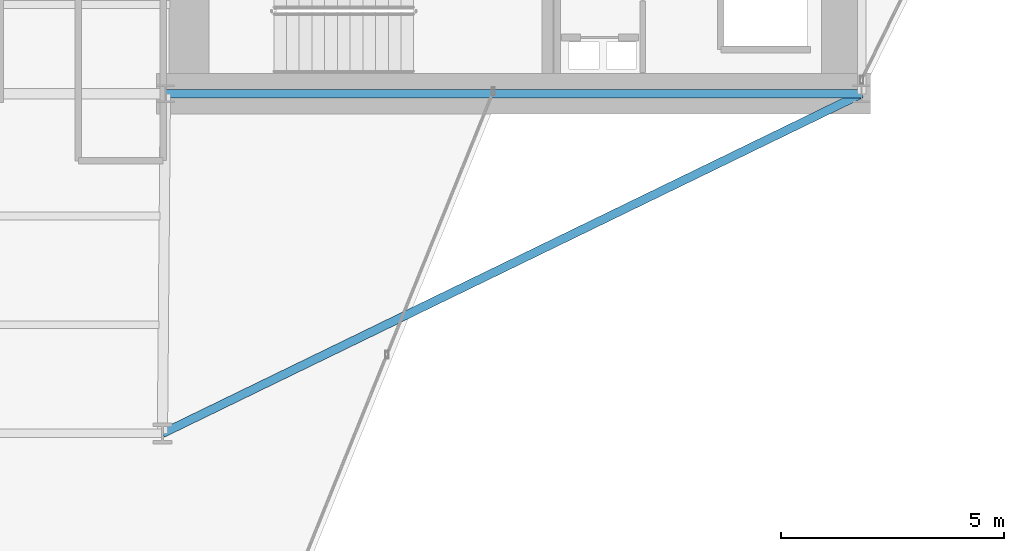
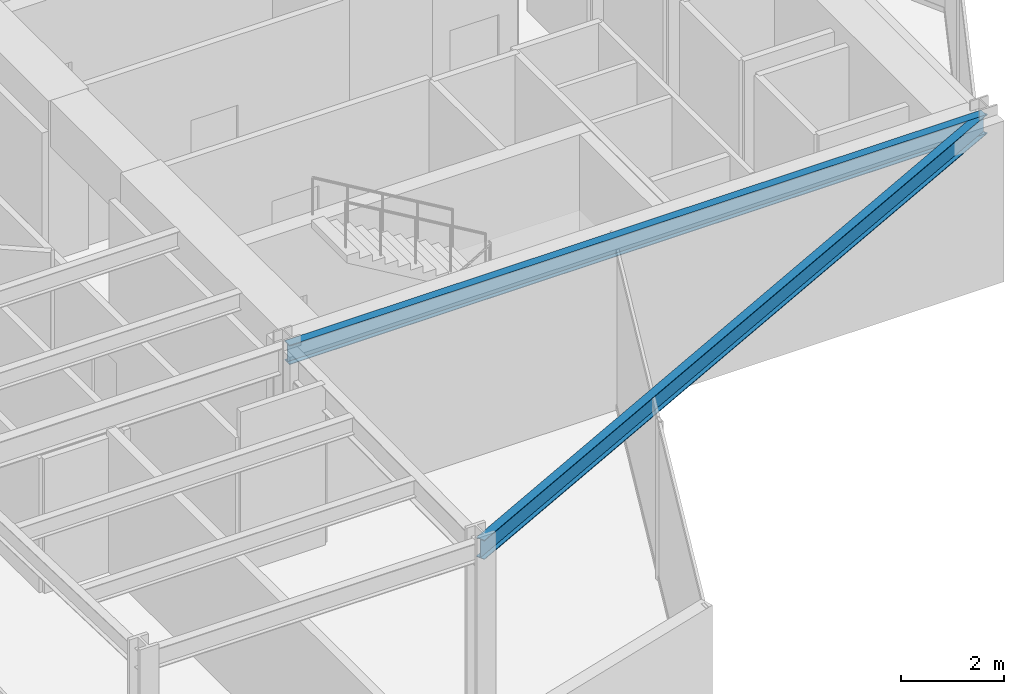
# One storey, part 15 of 30: 2 beams.
"""IFC4 building model written with IfcOpenShell, lengths in metres."""

import ifcopenshell
import ifcopenshell.guid

model = None  # the IFC model being written
_history = None  # IfcOwnerHistory: only IFC2X3 demands one
_inside = {}  # id of a spatial element -> (the spatial element, [elements in it])
_under = {}  # id of a project, library or spatial element -> (it, [spatial elements below it])
_declared = {}  # id of a project -> (the project, [libraries it declares])
_typed = {}  # id of a type object -> (the type object, [elements of that type])
_made_of = {}  # id of a material, layer set ... -> (it, [elements and type objects made of it])


def new_model(schema):
    """Start an empty IFC model of exactly this schema.

    Asked for "IFC4X3", IfcOpenShell would pick the latest addendum, in which some entities
    have other attributes; the version numbers below select the first issue.
    IFC2X3 requires an IfcOwnerHistory on every rooted entity: one is made here for all.
    """
    global model, _history
    if schema == "IFC4X3":
        model = ifcopenshell.file(schema_version=(4, 3, 0, 0))
    else:
        model = ifcopenshell.file(schema=schema)
    _inside.clear()
    _under.clear()
    _declared.clear()
    _typed.clear()
    _made_of.clear()
    _history = None
    if model.schema == "IFC2X3":
        org = make("IfcOrganization", Name="unknown")
        user = make(
            "IfcPersonAndOrganization",
            ThePerson=make("IfcPerson", FamilyName="unknown"),
            TheOrganization=org,
        )
        app = make(
            "IfcApplication",
            ApplicationDeveloper=org,
            Version="unknown",
            ApplicationFullName="unknown",
            ApplicationIdentifier="unknown",
        )
        _history = make(
            "IfcOwnerHistory",
            OwningUser=user,
            OwningApplication=app,
            ChangeAction="ADDED",
            CreationDate=0,
        )
    return model


def make(cls, **values):
    """One entity of the class cls with the attributes given. An attribute that is None is left unset."""
    return model.create_entity(
        cls, **{name: value for name, value in values.items() if value is not None}
    )


def rooted(cls, **values):
    """An entity with a GlobalId (a new one), such as an element, a storey or a relation."""
    return make(cls, GlobalId=ifcopenshell.guid.new(), OwnerHistory=_history, **values)


def si_unit(unit_type, name, prefix=None):
    """IfcSIUnit, for example si_unit("LENGTHUNIT", "METRE", prefix="MILLI")."""
    return make("IfcSIUnit", UnitType=unit_type, Prefix=prefix, Name=name)


def assignment(units):
    """IfcUnitAssignment: the units of a project."""
    return None if units is None else make("IfcUnitAssignment", Units=units)


def point(xyz):
    """IfcCartesianPoint."""
    return None if xyz is None else make("IfcCartesianPoint", Coordinates=xyz)


def direction(xyz):
    """IfcDirection."""
    return None if xyz is None else make("IfcDirection", DirectionRatios=xyz)


def frame(location, z_axis=None, x_axis=None):
    """IfcAxis2Placement3D, a coordinate frame: its origin and axes. An axis left out is left unset."""
    return make(
        "IfcAxis2Placement3D",
        Location=point(location),
        Axis=direction(z_axis),
        RefDirection=direction(x_axis),
    )


def frame_2d(location, x_axis=None):
    """IfcAxis2Placement2D, a coordinate frame in the plane: its origin and x axis."""
    return make(
        "IfcAxis2Placement2D", Location=point(location), RefDirection=direction(x_axis)
    )


def origin():
    """The frame at (0, 0, 0) with its axes left unset."""
    return frame((0.0, 0.0, 0.0))


def origin_2d():
    """The frame at (0, 0) in the plane with its x axis left unset."""
    return frame_2d((0.0, 0.0))


def place(relative_to, where):
    """IfcLocalPlacement: puts the frame where relative to a parent placement (None: the world)."""
    return make(
        "IfcLocalPlacement", PlacementRelTo=relative_to, RelativePlacement=where
    )


def context(
    kind, dimensions, precision=None, world=None, true_north=None, identifier=None
):
    """IfcGeometricRepresentationContext, for example the 3D "Model" context."""
    return make(
        "IfcGeometricRepresentationContext",
        ContextIdentifier=identifier,
        ContextType=kind,
        CoordinateSpaceDimension=dimensions,
        Precision=precision,
        WorldCoordinateSystem=world,
        TrueNorth=true_north,
    )


def subcontext(parent, identifier, kind, view, scale=None):
    """IfcGeometricRepresentationSubContext, for example "Body" below "Model"."""
    return make(
        "IfcGeometricRepresentationSubContext",
        ContextIdentifier=identifier,
        ContextType=kind,
        ParentContext=parent,
        TargetScale=scale,
        TargetView=view,
    )


def project(units=None, contexts=None):
    """IfcProject with its units and contexts."""
    return rooted(
        "IfcProject",
        Name="project",
        RepresentationContexts=contexts,
        UnitsInContext=assignment(units),
    )


def spatial(cls, under=None, at=None, **own):
    """A site, building, storey or space (cls), placed at a placement, below another one or the project."""
    s = rooted(cls, ObjectPlacement=at, **own)
    if under is not None:
        _under.setdefault(under.id(), (under, []))[1].append(s)
    return s


def profile(cls, at=None, kind="AREA", **sizes):
    """A parametric profile (cls). Its sizes go by their IFC names, for example OverallWidth=200.0."""
    return make(cls, ProfileType=kind, Position=at, **sizes)


def i_section(**sizes):
    """IfcIShapeProfileDef."""
    return profile("IfcIShapeProfileDef", **sizes)


def extrude(swept, where, along, depth):
    """IfcExtrudedAreaSolid: the profile swept, set in the frame where, extruded along a direction by depth."""
    return make(
        "IfcExtrudedAreaSolid",
        SweptArea=swept,
        Position=where,
        ExtrudedDirection=direction(along),
        Depth=depth,
    )


def shape(context_of_items, identifier, shape_type, items):
    """IfcShapeRepresentation: the items that make up one representation, for example the "Body"."""
    return make(
        "IfcShapeRepresentation",
        ContextOfItems=context_of_items,
        RepresentationIdentifier=identifier,
        RepresentationType=shape_type,
        Items=items,
    )


def material(Name=None, Category=None):
    """IfcMaterial."""
    return make("IfcMaterial", Name=Name, Category=Category)


def material_profile(
    of_material, cross_section, Name=None, Category=None, Priority=None
):
    """IfcMaterialProfile: a cross section and its material."""
    return make(
        "IfcMaterialProfile",
        Name=Name,
        Material=of_material,
        Profile=cross_section,
        Priority=Priority,
        Category=Category,
    )


def profile_set(profiles, Name=None, composite=None):
    """IfcMaterialProfileSet."""
    return make(
        "IfcMaterialProfileSet",
        Name=Name,
        MaterialProfiles=profiles,
        CompositeProfile=composite,
    )


def made_of(thing, what):
    """Note that an element or type object is made of a material, layer set ...; save() writes the relation."""
    if what is not None:
        _made_of.setdefault(what.id(), (what, []))[1].append(thing)
    return thing


def type_object(cls, material=None, **own):
    """A type object (cls), such as IfcWallType, which elements share."""
    return made_of(rooted(cls, **own), material)


def element(
    cls,
    number,
    at=None,
    inside=None,
    cuts=None,
    type_object=None,
    material=None,
    context=None,
    identifier="Body",
    shape_type=None,
    held_by="IfcProductDefinitionShape",
    body=None,
    shapes=None,
    **own,
):
    """One element of the class cls, such as IfcWall. Its Tag is "e" and its number.

    at: its placement. inside: the storey or other place that contains it. cuts: it is an
    opening in that element (IfcRelVoidsElement). A single representation is given by context,
    identifier, shape_type and body (its items); several are given by shapes. held_by: the class
    of the entity that holds the representations. save() writes the other relations.
    """
    e = rooted(cls, Tag="e%d" % number, ObjectPlacement=at, **own)
    if body is not None:
        shapes = [shape(context, identifier, shape_type, body)]
    if shapes is not None:
        e.Representation = make(held_by, Representations=shapes)
    if inside is not None:
        _inside.setdefault(inside.id(), (inside, []))[1].append(e)
    if cuts is not None:
        rooted(
            "IfcRelVoidsElement", RelatingBuildingElement=cuts, RelatedOpeningElement=e
        )
    if type_object is not None:
        _typed.setdefault(type_object.id(), (type_object, []))[1].append(e)
    return made_of(e, material)


def aggregate(whole, parts):
    """IfcRelAggregates: a whole, such as a stair, and the parts it consists of."""
    return rooted("IfcRelAggregates", RelatingObject=whole, RelatedObjects=parts)


def save(model, path):
    """Write the relations noted so far, then the file.

    IfcRelAggregates (storeys below a building ...), IfcRelContainedInSpatialStructure (elements
    in a storey), IfcRelDefinesByType, IfcRelAssociatesMaterial and IfcRelDeclares: one each for
    every whole, place, type object, material and project.
    """
    for whole, parts in _under.values():
        aggregate(whole, parts)
    for where, things in _inside.values():
        rooted(
            "IfcRelContainedInSpatialStructure",
            RelatedElements=things,
            RelatingStructure=where,
        )
    for kind, things in _typed.values():
        rooted("IfcRelDefinesByType", RelatedObjects=things, RelatingType=kind)
    for what, things in _made_of.values():
        rooted("IfcRelAssociatesMaterial", RelatedObjects=things, RelatingMaterial=what)
    for by, libraries in _declared.values():
        rooted("IfcRelDeclares", RelatingContext=by, RelatedDefinitions=libraries)
    model.write(path)


model = new_model("IFC4")

# Units and contexts
model_context = context("Model", 3, precision=1e-05, world=origin(), true_north=direction((0.0, 1.0)))
body_context = subcontext(model_context, "Body", "Model", "MODEL_VIEW")
ifc_project = project(units=[si_unit("LENGTHUNIT", "METRE"), si_unit("AREAUNIT", "SQUARE_METRE"), si_unit("VOLUMEUNIT", "CUBIC_METRE"), si_unit("PLANEANGLEUNIT", "RADIAN"), si_unit("MASSUNIT", "GRAM", prefix="KILO")], contexts=[model_context])

# Site, building, storey
site_placement = place(None, origin())
site = spatial("IfcSite", under=ifc_project, at=site_placement, CompositionType="ELEMENT")
building_placement = place(site_placement, origin())
building = spatial("IfcBuilding", under=site, at=building_placement, Name="Veymaron Broadcast Tower", CompositionType="ELEMENT")
storey_placement = place(building_placement, frame((0.0, 0.0, 66.14990234375)))
storey = spatial("IfcBuildingStorey", under=building, at=storey_placement, Name="L14", CompositionType="ELEMENT", Elevation=66.14990234375)

# Beams
ifc_material = material(Name="Structural steel ASTM A992 Gr 50", Category="steel")
ifc_material_profile = material_profile(ifc_material, i_section(OverallWidth=0.19091796875, OverallDepth=0.4599609375, WebThickness=0.010009765625, FlangeThickness=0.01611328125, at=origin_2d()), Name="W460X82")
ifc_profile_set = profile_set([ifc_material_profile], Name="Structural steel ASTM A992 Gr 50")
beam_type = type_object("IfcBeamType", Name="BM-SP1", PredefinedType="SPANDREL", material=ifc_profile_set)
beam_1_placement = place(storey_placement, frame((39.0, 16.0, 3.580078125), z_axis=(1.0, 0.0, 0.0), x_axis=(0.0, 1.0, 0.0)))
element("IfcBeam", 1, at=beam_1_placement, inside=storey, type_object=beam_type, Name="L14 primary structural floor girder", PredefinedType="SPANDREL", context=body_context, shape_type="SweptSolid", body=[
    extrude(i_section(OverallWidth=0.19091796875, OverallDepth=0.4599609375, WebThickness=0.010009765625, FlangeThickness=0.01611328125, at=origin_2d()), origin(), (0.0, 0.0, 1.0), 15.60009765625),
])
beam_2_placement = place(storey_placement, frame((54.60009765625, 16.0, 3.580078125), z_axis=(-0.899477147295, -0.436967803727, 0.0), x_axis=(0.436967803727, -0.899477147295, 0.0)))
element("IfcBeam", 2, at=beam_2_placement, inside=storey, type_object=beam_type, Name="L14 primary structural floor girder", PredefinedType="SPANDREL", context=body_context, shape_type="SweptSolid", body=[
    extrude(i_section(OverallWidth=0.19091796875, OverallDepth=0.4599609375, WebThickness=0.010009765625, FlangeThickness=0.01611328125, at=origin_2d()), origin(), (0.0, 0.0, 1.0), 17.415771484375),
])

save(model, "model.ifc")
